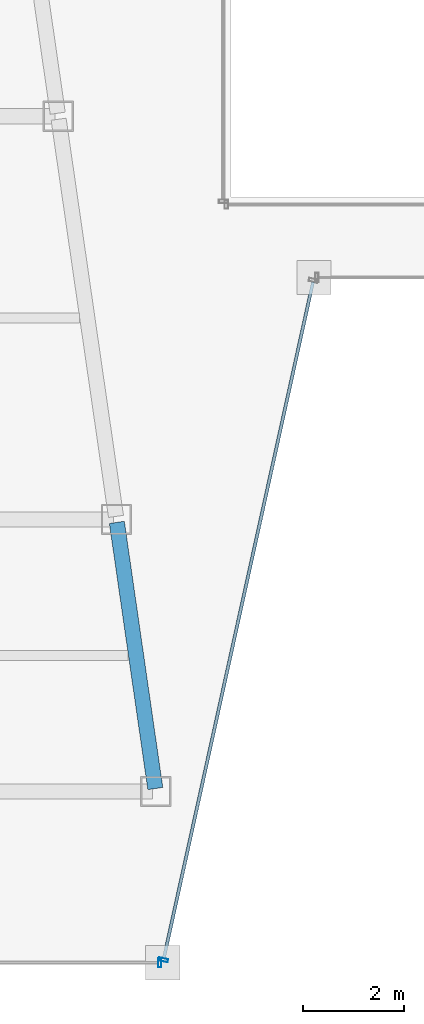
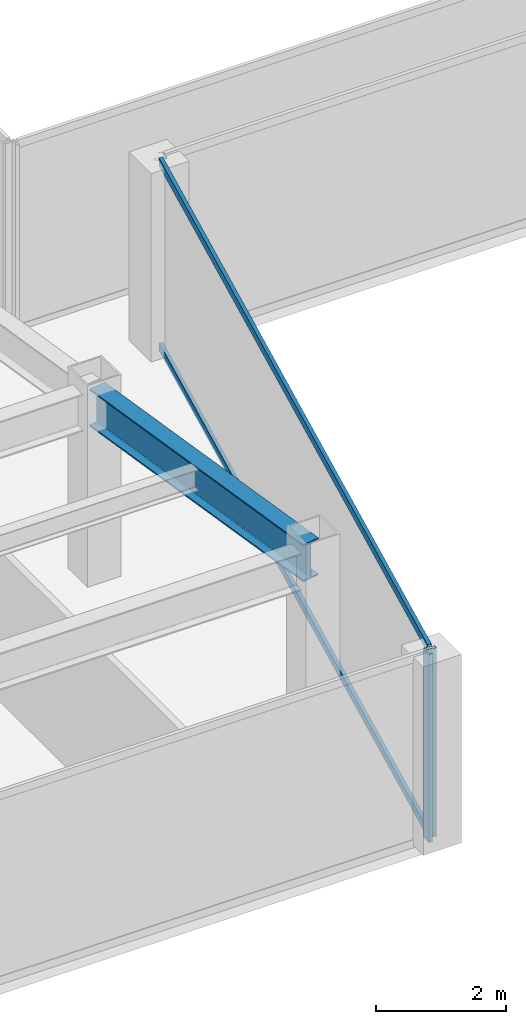
# One storey, part 5 of 38: 4 members, 1 beam, 2 elements without a shape of their own.
"""IFC4 building model written with IfcOpenShell, lengths in metres."""

from ifc_helpers import new_model, si_unit, direction, frame, origin, origin_2d, place, context, subcontext, project, spatial, hollow_rectangle, i_section, extrude, material, material_profile, profile_set, type_object, element, aggregate, save


model = new_model("IFC4")

# Units and contexts
model_context = context("Model", 3, precision=1e-05, world=origin(), true_north=direction((0.0, 1.0)))
body_context = subcontext(model_context, "Body", "Model", "MODEL_VIEW")
ifc_project = project(units=[si_unit("LENGTHUNIT", "METRE"), si_unit("AREAUNIT", "SQUARE_METRE"), si_unit("VOLUMEUNIT", "CUBIC_METRE"), si_unit("PLANEANGLEUNIT", "RADIAN"), si_unit("MASSUNIT", "GRAM", prefix="KILO")], contexts=[model_context])

# Site, building, storey
site_placement = place(None, origin())
site = spatial("IfcSite", under=ifc_project, at=site_placement, CompositionType="ELEMENT")
building_placement = place(site_placement, origin())
building = spatial("IfcBuilding", under=site, at=building_placement, Name="Saevonmaru Cultural Tower", CompositionType="ELEMENT")
storey_placement = place(building_placement, frame((0.0, 0.0, 133.39990234375)))
storey = spatial("IfcBuildingStorey", under=building, at=storey_placement, Name="L28", CompositionType="ELEMENT", Elevation=133.39990234375)

# Beam
ifc_material_1 = material(Name="Steel SM355", Category="steel")
ifc_material_profile_1 = material_profile(ifc_material_1, i_section(OverallWidth=0.300048828125, OverallDepth=0.699951171875, WebThickness=0.012939453125, FlangeThickness=0.02392578125, FilletRadius=0.02587890625, at=origin_2d()), Name="H-700x300x13x24")
ifc_profile_set_1 = profile_set([ifc_material_profile_1], Name="Steel SM355")
beam_type = type_object("IfcBeamType", Name="BM-G-H700", PredefinedType="BEAM", material=ifc_profile_set_1)
beam_placement = place(storey_placement, frame((22.699462890625, 10.659423828125, 3.2001953125), z_axis=(-0.142977693794, 0.989725911087, 0.0), x_axis=(-0.989725911087, -0.142977693794, 0.0)))
element("IfcBeam", 1, at=beam_placement, inside=storey, type_object=beam_type, Name="L28 West Atrium Girder 1", PredefinedType="BEAM", context=body_context, shape_type="SweptSolid", body=[
    extrude(i_section(OverallWidth=0.300048828125, OverallDepth=0.699951171875, WebThickness=0.012939453125, FlangeThickness=0.02392578125, FilletRadius=0.02587890625, at=origin_2d()), origin(), (0.0, 0.0, 1.0), 5.336181640625),
])

# Curtain wall, member
ifc_material_2 = material(Name="Satin Bronze Anodised Aluminium", Category="aluminium")
curtain_wall_type = type_object("IfcCurtainWallType", Name="CW-TYP-A", PredefinedType="NOTDEFINED", material=ifc_material_2)
curtain_wall_1_placement = place(storey_placement, origin())
curtain_wall_1 = element("IfcCurtainWall", 2, at=curtain_wall_1_placement, inside=storey, type_object=curtain_wall_type, Name="L28 Unitised Curtain Wall E2", PredefinedType="NOTDEFINED")
ifc_material_profile_2 = material_profile(ifc_material_2, hollow_rectangle(XDim=0.06494140625, YDim=0.179931640625, WallThickness=0.00390625, at=origin_2d()), Name="ALU-MULL-180x65x4")
ifc_profile_set_2 = profile_set([ifc_material_profile_2], Name="Satin Bronze Anodised Aluminium")
member_type_1 = type_object("IfcMemberType", Name="ML-CW-180x65", PredefinedType="MULLION", material=ifc_profile_set_2)
member_1_placement = place(storey_placement, frame((22.788818359375, 7.199951171875, 0.0), z_axis=(0.0, 0.0, 1.0), x_axis=(1.0, 0.0, 0.0)))
member_1 = element("IfcMember", 3, at=member_1_placement, type_object=member_type_1, Name="CW-TW-L28-E2 mullion 2", PredefinedType="MULLION", context=body_context, shape_type="SweptSolid", body=[
    extrude(hollow_rectangle(XDim=0.06494140625, YDim=0.179931640625, WallThickness=0.00390625, at=origin_2d()), origin(), (0.0, 0.0, 1.0), 3.550048828125),
])
aggregate(curtain_wall_1, [member_1])

# Curtain wall, members
curtain_wall_2_placement = place(storey_placement, origin())
curtain_wall_2 = element("IfcCurtainWall", 4, at=curtain_wall_2_placement, inside=storey, type_object=curtain_wall_type, Name="L28 Unitised Curtain Wall E3", PredefinedType="NOTDEFINED")
member_2_placement = place(storey_placement, frame((22.86181640625, 7.258544921875, 0.0), z_axis=(0.0, 0.0, 1.0), x_axis=(0.215413319953, 0.976522965212, 0.0)))
member_2 = element("IfcMember", 5, at=member_2_placement, type_object=member_type_1, Name="CW-TW-L28-E3 mullion 1", PredefinedType="MULLION", context=body_context, shape_type="SweptSolid", body=[
    extrude(hollow_rectangle(XDim=0.06494140625, YDim=0.179931640625, WallThickness=0.00390625, at=origin_2d()), origin(), (0.0, 0.0, 1.0), 3.550048828125),
])
ifc_material_profile_3 = material_profile(ifc_material_2, hollow_rectangle(XDim=0.06494140625, YDim=0.14990234375, WallThickness=0.00390625, at=origin_2d()), Name="ALU-TRAN-150x65x4")
ifc_profile_set_3 = profile_set([ifc_material_profile_3], Name="Satin Bronze Anodised Aluminium")
member_type_2 = type_object("IfcMemberType", Name="TR-CW-150x65", PredefinedType="USERDEFINED", material=ifc_profile_set_3)
member_3_placement = place(storey_placement, frame((22.868896484375, 7.290283203125, 0.03271484375), z_axis=(0.21541214732, 0.976523223885, 0.0), x_axis=(-0.976523223885, 0.21541214732, 0.0)))
member_3 = element("IfcMember", 6, at=member_3_placement, type_object=member_type_2, Name="CW-TW-L28-E3 transom 1.1", ObjectType="TRANSOM", PredefinedType="USERDEFINED", context=body_context, shape_type="SweptSolid", body=[
    extrude(hollow_rectangle(XDim=0.06494140625, YDim=0.14990234375, WallThickness=0.00390625, at=origin_2d()), origin(), (0.0, 0.0, 1.0), 13.741943359375),
])
member_4_placement = place(storey_placement, frame((22.868896484375, 7.290283203125, 3.517578125), z_axis=(0.21541214732, 0.976523223885, 0.0), x_axis=(-0.976523223885, 0.21541214732, 0.0)))
member_4 = element("IfcMember", 7, at=member_4_placement, type_object=member_type_2, Name="CW-TW-L28-E3 transom 1.2", ObjectType="TRANSOM", PredefinedType="USERDEFINED", context=body_context, shape_type="SweptSolid", body=[
    extrude(hollow_rectangle(XDim=0.06494140625, YDim=0.14990234375, WallThickness=0.00390625, at=origin_2d()), origin(), (0.0, 0.0, 1.0), 13.741943359375),
])
aggregate(curtain_wall_2, [member_2, member_3, member_4])

save(model, "model.ifc")
